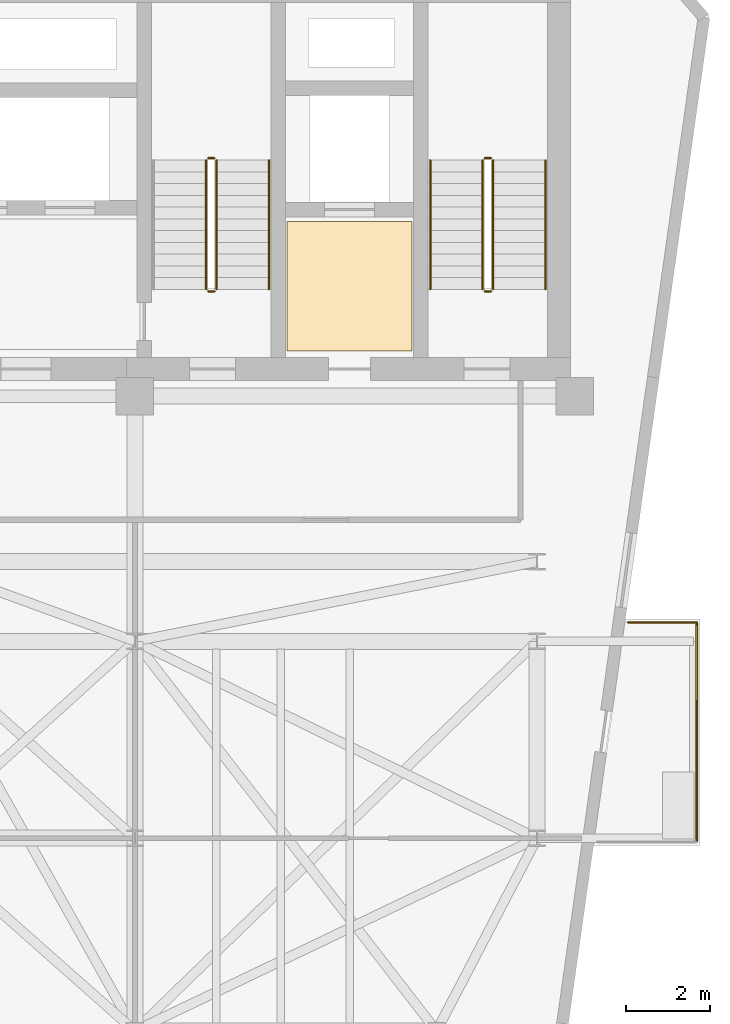
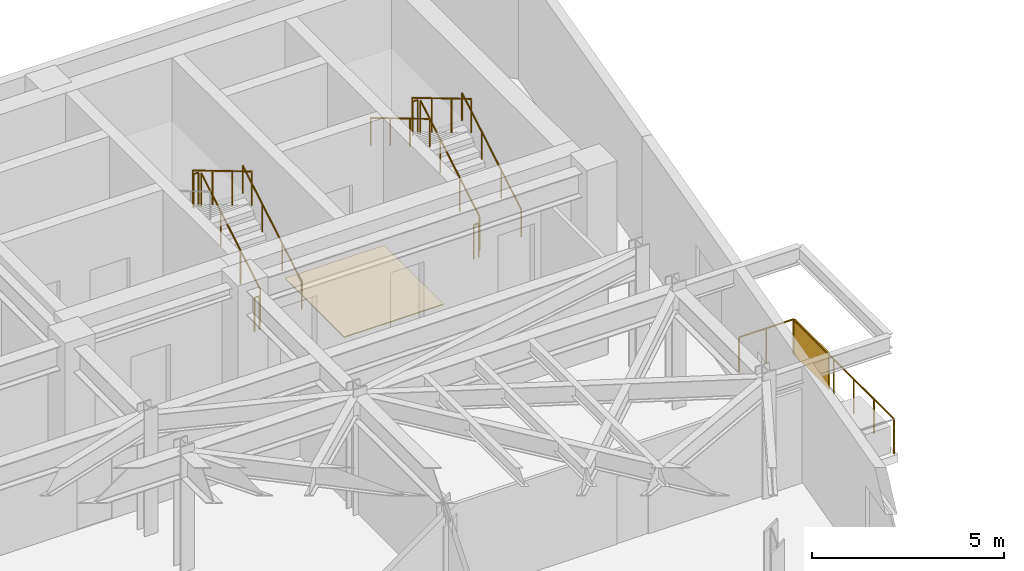
# One storey, part 21 of 21: 13 railings, 1 covering, 1 shading device.
"""IFC4 building model written with IfcOpenShell, lengths in metres."""

from ifc_helpers import new_model, si_unit, direction, frame, origin, origin_2d, place, context, subcontext, project, spatial, polyline, rectangle, circle, outline, extrude, material, layer, layer_set, type_object, element, save


model = new_model("IFC4")

# Units and contexts
model_context = context("Model", 3, precision=1e-05, world=origin(), true_north=direction((0.0, 1.0)))
body_context = subcontext(model_context, "Body", "Model", "MODEL_VIEW")
ifc_project = project(units=[si_unit("LENGTHUNIT", "METRE"), si_unit("AREAUNIT", "SQUARE_METRE"), si_unit("VOLUMEUNIT", "CUBIC_METRE"), si_unit("PLANEANGLEUNIT", "RADIAN"), si_unit("MASSUNIT", "GRAM", prefix="KILO")], contexts=[model_context])

# Site, building, storey
site_placement = place(None, origin())
site = spatial("IfcSite", under=ifc_project, at=site_placement, CompositionType="ELEMENT")
building_placement = place(site_placement, origin())
building = spatial("IfcBuilding", under=site, at=building_placement, Name="Kravanh Interchange Tower", CompositionType="ELEMENT")
storey_placement = place(building_placement, frame((0.0, 0.0, 208.5)))
storey = spatial("IfcBuildingStorey", under=building, at=storey_placement, Name="L50", CompositionType="ELEMENT", Elevation=208.5)

# Covering
ifc_material_1 = material(Name="Cementitious Terrazzo Tile")
ifc_layer_1 = layer(ifc_material_1, 0.030029296875)
ifc_layer_set_1 = layer_set([ifc_layer_1], Name="Honed Terrazzo Lobby Flooring 30mm")
covering_type = type_object("IfcCoveringType", Name="Honed Terrazzo Lobby Flooring 30mm", PredefinedType="FLOORING", material=ifc_layer_set_1)
covering_placement = place(storey_placement, origin())
element("IfcCovering", 1, at=covering_placement, inside=storey, type_object=covering_type, Name="L50 Service Lift Lobby Floor Finish", PredefinedType="FLOORING", context=body_context, shape_type="SweptSolid", body=[
    extrude(outline(polyline([(59.6298828125, 41.52001953125), (62.6201171875, 41.52001953125), (62.6201171875, 38.429931640625), (59.6298828125, 38.429931640625), (59.6298828125, 41.52001953125)])), origin(), (0.0, 0.0, 1.0), 0.030029296875),
])

# Shading device
ifc_material_2 = material(Name="Perforated Anodised Bronze Aluminium", Category="aluminium")
ifc_layer_2 = layer(ifc_material_2, 0.0400390625)
ifc_layer_set_2 = layer_set([ifc_layer_2], Name="Perforated Bronze Balcony Privacy Screen 1150mm")
shading_device_type = type_object("IfcShadingDeviceType", Name="Perforated Bronze Balcony Privacy Screen 1150mm", PredefinedType="USERDEFINED", material=ifc_layer_set_2)
shading_device_placement = place(storey_placement, frame((69.409912109375, 30.97998046875, 0.0), z_axis=(0.0, 0.0, 1.0), x_axis=(1.0, 0.0, 0.0)))
element("IfcShadingDevice", 2, at=shading_device_placement, inside=storey, type_object=shading_device_type, Name="L50 E Perforated Bronze BALCONY SCREEN", ObjectType="SCREEN", PredefinedType="USERDEFINED", context=body_context, shape_type="SweptSolid", body=[
    extrude(rectangle(XDim=0.0400390625, YDim=1.800048828125, at=origin_2d()), origin(), (0.0, 0.0, 1.0), 1.14990234375),
])

# Railings
ifc_material_3 = material(Name="Stainless Steel 316", Category="steel")
ifc_layer_3 = layer(ifc_material_3, 0.06005859375)
ifc_layer_set_3 = layer_set([ifc_layer_3], Name="Perimeter Balcony and Terrace Guardrail Stainless 316 1120mm")
railing_type_1 = type_object("IfcRailingType", Name="Perimeter Balcony and Terrace Guardrail Stainless 316 1120mm", PredefinedType="GUARDRAIL", material=ifc_layer_set_3)
railing_1_placement = place(storey_placement, frame((69.409912109375, 31.949951171875, 0.0)))
element("IfcRailing", 3, at=railing_1_placement, inside=storey, type_object=railing_type_1, Name="L50 E Balcony Guardrail 1", PredefinedType="GUARDRAIL", context=body_context, shape_type="SweptSolid", body=[
    extrude(circle(Radius=0.02392578125, at=origin_2d()), frame((0.0, 0.0, 1.09619140625), z_axis=(0.0, -1.0, 0.0), x_axis=(1.0, 0.0, 0.0)), (0.0, 0.0, 1.0), 5.239990234375),
    extrude(circle(Radius=0.02099609375, at=origin_2d()), origin(), (0.0, 0.0, 1.0), 1.072021484375),
    extrude(circle(Radius=0.02099609375, at=origin_2d()), frame((0.0, -1.048095703125, 0.0)), (0.0, 0.0, 1.0), 1.072021484375),
    extrude(circle(Radius=0.02099609375, at=origin_2d()), frame((0.0, -2.095947265625, 0.0)), (0.0, 0.0, 1.0), 1.072021484375),
    extrude(circle(Radius=0.02099609375, at=origin_2d()), frame((0.0, -3.14404296875, 0.0)), (0.0, 0.0, 1.0), 1.072021484375),
    extrude(circle(Radius=0.02099609375, at=origin_2d()), frame((0.0, -4.19189453125, 0.0)), (0.0, 0.0, 1.0), 1.072021484375),
    extrude(circle(Radius=0.02099609375, at=origin_2d()), frame((0.0, -5.239990234375, 0.0)), (0.0, 0.0, 1.0), 1.072021484375),
])
railing_2_placement = place(storey_placement, frame((67.77001953125, 31.949951171875, 0.0)))
element("IfcRailing", 4, at=railing_2_placement, inside=storey, type_object=railing_type_1, Name="L50 E Balcony Guardrail 3", PredefinedType="GUARDRAIL", context=body_context, shape_type="SweptSolid", body=[
    extrude(circle(Radius=0.02392578125, at=origin_2d()), frame((0.0, 0.0, 1.09619140625), z_axis=(1.0, 0.0, 0.0), x_axis=(0.0, 1.0, 0.0)), (0.0, 0.0, 1.0), 1.639892578125),
    extrude(circle(Radius=0.02099609375, at=origin_2d()), origin(), (0.0, 0.0, 1.0), 1.072021484375),
    extrude(circle(Radius=0.02099609375, at=origin_2d()), frame((0.81982421875, 0.0, 0.0)), (0.0, 0.0, 1.0), 1.072021484375),
    extrude(circle(Radius=0.02099609375, at=origin_2d()), frame((1.639892578125, 0.0, 0.0)), (0.0, 0.0, 1.0), 1.072021484375),
])
ifc_material_4 = material(Name="Structural Steel S355", Category="steel")
ifc_layer_4 = layer(ifc_material_4, 0.050048828125)
ifc_layer_set_4 = layer_set([ifc_layer_4], Name="Stair Well Guardrail Structural Steel S355 1100mm")
railing_type_2 = type_object("IfcRailingType", Name="Stair Well Guardrail Structural Steel S355 1100mm", PredefinedType="GUARDRAIL", material=ifc_layer_set_4)
railing_3_placement = place(storey_placement, frame((64.550048828125, 39.89990234375, 0.166748046875)))
element("IfcRailing", 5, at=railing_3_placement, inside=storey, type_object=railing_type_2, Name="L50 ST1 stair guard 1", PredefinedType="GUARDRAIL", context=body_context, shape_type="SweptSolid", body=[
    extrude(circle(Radius=0.02392578125, at=origin_2d()), frame((0.0, 0.0, 1.076171875), z_axis=(0.0, 0.859308565015, 0.511457515432), x_axis=(-1.0, 0.0, 0.0)), (0.0, 0.0, 1.0), 3.58447265625),
    extrude(circle(Radius=0.02099609375, at=origin_2d()), origin(), (0.0, 0.0, 1.0), 1.052001953125),
    extrude(circle(Radius=0.02099609375, at=origin_2d()), frame((0.0, 1.026611328125, 0.611083984375)), (0.0, 0.0, 1.0), 1.052001953125),
    extrude(circle(Radius=0.02099609375, at=origin_2d()), frame((0.0, 2.053466796875, 1.22216796875)), (0.0, 0.0, 1.0), 1.052001953125),
    extrude(circle(Radius=0.02099609375, at=origin_2d()), frame((0.0, 3.080078125, 1.833251953125)), (0.0, 0.0, 1.0), 1.052001953125),
])
railing_4_placement = place(storey_placement, frame((64.5, 43.030029296875, 2.0)))
element("IfcRailing", 6, at=railing_4_placement, inside=storey, type_object=railing_type_2, Name="L50 ST1 stair guard 2", PredefinedType="GUARDRAIL", context=body_context, shape_type="SweptSolid", body=[
    extrude(circle(Radius=0.02392578125, at=origin_2d()), frame((0.0, 0.0, 1.076171875), z_axis=(-1.0, 0.0, 0.0), x_axis=(0.0, -1.0, 0.0)), (0.0, 0.0, 1.0), 0.14990234375),
    extrude(circle(Radius=0.02099609375, at=origin_2d()), origin(), (0.0, 0.0, 1.0), 1.052001953125),
    extrude(circle(Radius=0.02099609375, at=origin_2d()), frame((-0.14990234375, 0.0, 0.0)), (0.0, 0.0, 1.0), 1.052001953125),
])
railing_5_placement = place(storey_placement, frame((64.300048828125, 42.97998046875, 2.166748046875)))
element("IfcRailing", 7, at=railing_5_placement, inside=storey, type_object=railing_type_2, Name="L50 ST1 stair guard 3", PredefinedType="GUARDRAIL", context=body_context, shape_type="SweptSolid", body=[
    extrude(circle(Radius=0.02392578125, at=origin_2d()), frame((0.0, 0.0, 1.076171875), z_axis=(0.0, -0.859308565015, 0.511457515432), x_axis=(1.0, 0.0, 0.0)), (0.0, 0.0, 1.0), 3.58447265625),
    extrude(circle(Radius=0.02099609375, at=origin_2d()), origin(), (0.0, 0.0, 1.0), 1.052001953125),
    extrude(circle(Radius=0.02099609375, at=origin_2d()), frame((0.0, -1.026611328125, 0.611083984375)), (0.0, 0.0, 1.0), 1.052001953125),
    extrude(circle(Radius=0.02099609375, at=origin_2d()), frame((0.0, -2.053466796875, 1.22216796875)), (0.0, 0.0, 1.0), 1.052001953125),
    extrude(circle(Radius=0.02099609375, at=origin_2d()), frame((0.0, -3.080078125, 1.833251953125)), (0.0, 0.0, 1.0), 1.052001953125),
])
railing_6_placement = place(storey_placement, frame((64.5, 39.85009765625, 0.0)))
element("IfcRailing", 8, at=railing_6_placement, inside=storey, type_object=railing_type_2, Name="L50 ST1 stair guard 4", PredefinedType="GUARDRAIL", context=body_context, shape_type="SweptSolid", body=[
    extrude(circle(Radius=0.02392578125, at=origin_2d()), frame((0.0, 0.0, 1.076171875), z_axis=(-1.0, 0.0, 0.0), x_axis=(0.0, -1.0, 0.0)), (0.0, 0.0, 1.0), 0.14990234375),
    extrude(circle(Radius=0.02099609375, at=origin_2d()), origin(), (0.0, 0.0, 1.0), 1.052001953125),
    extrude(circle(Radius=0.02099609375, at=origin_2d()), frame((-0.14990234375, 0.0, 0.0)), (0.0, 0.0, 1.0), 1.052001953125),
])
railing_7_placement = place(storey_placement, frame((57.949951171875, 39.89990234375, 0.166748046875)))
element("IfcRailing", 9, at=railing_7_placement, inside=storey, type_object=railing_type_2, Name="L50 ST2 stair guard 1", PredefinedType="GUARDRAIL", context=body_context, shape_type="SweptSolid", body=[
    extrude(circle(Radius=0.02392578125, at=origin_2d()), frame((0.0, 0.0, 1.076171875), z_axis=(0.0, 0.859308565015, 0.511457515432), x_axis=(-1.0, 0.0, 0.0)), (0.0, 0.0, 1.0), 3.58447265625),
    extrude(circle(Radius=0.02099609375, at=origin_2d()), origin(), (0.0, 0.0, 1.0), 1.052001953125),
    extrude(circle(Radius=0.02099609375, at=origin_2d()), frame((0.0, 1.026611328125, 0.611083984375)), (0.0, 0.0, 1.0), 1.052001953125),
    extrude(circle(Radius=0.02099609375, at=origin_2d()), frame((0.0, 2.053466796875, 1.22216796875)), (0.0, 0.0, 1.0), 1.052001953125),
    extrude(circle(Radius=0.02099609375, at=origin_2d()), frame((0.0, 3.080078125, 1.833251953125)), (0.0, 0.0, 1.0), 1.052001953125),
])
railing_8_placement = place(storey_placement, frame((57.89990234375, 43.030029296875, 2.0)))
element("IfcRailing", 10, at=railing_8_placement, inside=storey, type_object=railing_type_2, Name="L50 ST2 stair guard 2", PredefinedType="GUARDRAIL", context=body_context, shape_type="SweptSolid", body=[
    extrude(circle(Radius=0.02392578125, at=origin_2d()), frame((0.0, 0.0, 1.076171875), z_axis=(-1.0, 0.0, 0.0), x_axis=(0.0, -1.0, 0.0)), (0.0, 0.0, 1.0), 0.14990234375),
    extrude(circle(Radius=0.02099609375, at=origin_2d()), origin(), (0.0, 0.0, 1.0), 1.052001953125),
    extrude(circle(Radius=0.02099609375, at=origin_2d()), frame((-0.14990234375, 0.0, 0.0)), (0.0, 0.0, 1.0), 1.052001953125),
])
railing_9_placement = place(storey_placement, frame((57.699951171875, 42.97998046875, 2.166748046875)))
element("IfcRailing", 11, at=railing_9_placement, inside=storey, type_object=railing_type_2, Name="L50 ST2 stair guard 3", PredefinedType="GUARDRAIL", context=body_context, shape_type="SweptSolid", body=[
    extrude(circle(Radius=0.02392578125, at=origin_2d()), frame((0.0, 0.0, 1.076171875), z_axis=(0.0, -0.859308565015, 0.511457515432), x_axis=(1.0, 0.0, 0.0)), (0.0, 0.0, 1.0), 3.58447265625),
    extrude(circle(Radius=0.02099609375, at=origin_2d()), origin(), (0.0, 0.0, 1.0), 1.052001953125),
    extrude(circle(Radius=0.02099609375, at=origin_2d()), frame((0.0, -1.026611328125, 0.611083984375)), (0.0, 0.0, 1.0), 1.052001953125),
    extrude(circle(Radius=0.02099609375, at=origin_2d()), frame((0.0, -2.053466796875, 1.22216796875)), (0.0, 0.0, 1.0), 1.052001953125),
    extrude(circle(Radius=0.02099609375, at=origin_2d()), frame((0.0, -3.080078125, 1.833251953125)), (0.0, 0.0, 1.0), 1.052001953125),
])
railing_10_placement = place(storey_placement, frame((57.89990234375, 39.85009765625, 0.0)))
element("IfcRailing", 12, at=railing_10_placement, inside=storey, type_object=railing_type_2, Name="L50 ST2 stair guard 4", PredefinedType="GUARDRAIL", context=body_context, shape_type="SweptSolid", body=[
    extrude(circle(Radius=0.02392578125, at=origin_2d()), frame((0.0, 0.0, 1.076171875), z_axis=(-1.0, 0.0, 0.0), x_axis=(0.0, -1.0, 0.0)), (0.0, 0.0, 1.0), 0.14990234375),
    extrude(circle(Radius=0.02099609375, at=origin_2d()), origin(), (0.0, 0.0, 1.0), 1.052001953125),
    extrude(circle(Radius=0.02099609375, at=origin_2d()), frame((-0.14990234375, 0.0, 0.0)), (0.0, 0.0, 1.0), 1.052001953125),
])
ifc_material_5 = material(Name="Stainless Steel 304", Category="steel")
ifc_layer_5 = layer(ifc_material_5, 0.044921875)
ifc_layer_set_5 = layer_set([ifc_layer_5], Name="Tubular Stair Handrail Stainless 304 900mm")
railing_type_3 = type_object("IfcRailingType", Name="Tubular Stair Handrail Stainless 304 900mm", PredefinedType="HANDRAIL", material=ifc_layer_set_5)
railing_11_placement = place(storey_placement, frame((65.800048828125, 39.89990234375, 0.166748046875)))
element("IfcRailing", 13, at=railing_11_placement, inside=storey, type_object=railing_type_3, Name="L50 ST1 stair handrail 1", PredefinedType="HANDRAIL", context=body_context, shape_type="SweptSolid", body=[
    extrude(circle(Radius=0.02392578125, at=origin_2d()), frame((0.0, 0.0, 0.8759765625), z_axis=(0.0, 0.859308565015, 0.511457515432), x_axis=(-1.0, 0.0, 0.0)), (0.0, 0.0, 1.0), 3.58447265625),
    extrude(circle(Radius=0.02099609375, at=origin_2d()), origin(), (0.0, 0.0, 1.0), 0.851806640625),
    extrude(circle(Radius=0.02099609375, at=origin_2d()), frame((0.0, 1.026611328125, 0.611083984375)), (0.0, 0.0, 1.0), 0.851806640625),
    extrude(circle(Radius=0.02099609375, at=origin_2d()), frame((0.0, 2.053466796875, 1.22216796875)), (0.0, 0.0, 1.0), 0.851806640625),
    extrude(circle(Radius=0.02099609375, at=origin_2d()), frame((0.0, 3.080078125, 1.833251953125)), (0.0, 0.0, 1.0), 0.851806640625),
])
railing_12_placement = place(storey_placement, frame((63.050048828125, 42.97998046875, 2.166748046875)))
element("IfcRailing", 14, at=railing_12_placement, inside=storey, type_object=railing_type_3, Name="L50 ST1 stair handrail 2", PredefinedType="HANDRAIL", context=body_context, shape_type="SweptSolid", body=[
    extrude(circle(Radius=0.02392578125, at=origin_2d()), frame((0.0, 0.0, 0.8759765625), z_axis=(0.0, -0.859308565015, 0.511457515432), x_axis=(1.0, 0.0, 0.0)), (0.0, 0.0, 1.0), 3.58447265625),
    extrude(circle(Radius=0.02099609375, at=origin_2d()), origin(), (0.0, 0.0, 1.0), 0.851806640625),
    extrude(circle(Radius=0.02099609375, at=origin_2d()), frame((0.0, -1.026611328125, 0.611083984375)), (0.0, 0.0, 1.0), 0.851806640625),
    extrude(circle(Radius=0.02099609375, at=origin_2d()), frame((0.0, -2.053466796875, 1.22216796875)), (0.0, 0.0, 1.0), 0.851806640625),
    extrude(circle(Radius=0.02099609375, at=origin_2d()), frame((0.0, -3.080078125, 1.833251953125)), (0.0, 0.0, 1.0), 0.851806640625),
])
railing_13_placement = place(storey_placement, frame((59.199951171875, 39.89990234375, 0.166748046875)))
element("IfcRailing", 15, at=railing_13_placement, inside=storey, type_object=railing_type_3, Name="L50 ST2 stair handrail 1", PredefinedType="HANDRAIL", context=body_context, shape_type="SweptSolid", body=[
    extrude(circle(Radius=0.02392578125, at=origin_2d()), frame((0.0, 0.0, 0.8759765625), z_axis=(0.0, 0.859308565015, 0.511457515432), x_axis=(-1.0, 0.0, 0.0)), (0.0, 0.0, 1.0), 3.58447265625),
    extrude(circle(Radius=0.02099609375, at=origin_2d()), origin(), (0.0, 0.0, 1.0), 0.851806640625),
    extrude(circle(Radius=0.02099609375, at=origin_2d()), frame((0.0, 1.026611328125, 0.611083984375)), (0.0, 0.0, 1.0), 0.851806640625),
    extrude(circle(Radius=0.02099609375, at=origin_2d()), frame((0.0, 2.053466796875, 1.22216796875)), (0.0, 0.0, 1.0), 0.851806640625),
    extrude(circle(Radius=0.02099609375, at=origin_2d()), frame((0.0, 3.080078125, 1.833251953125)), (0.0, 0.0, 1.0), 0.851806640625),
])

save(model, "model.ifc")
